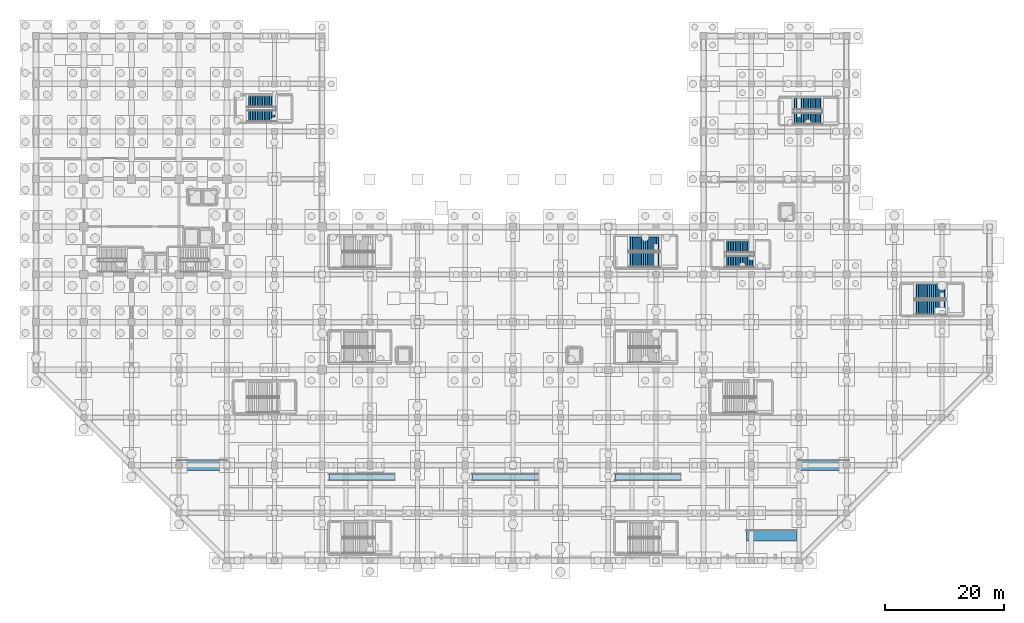
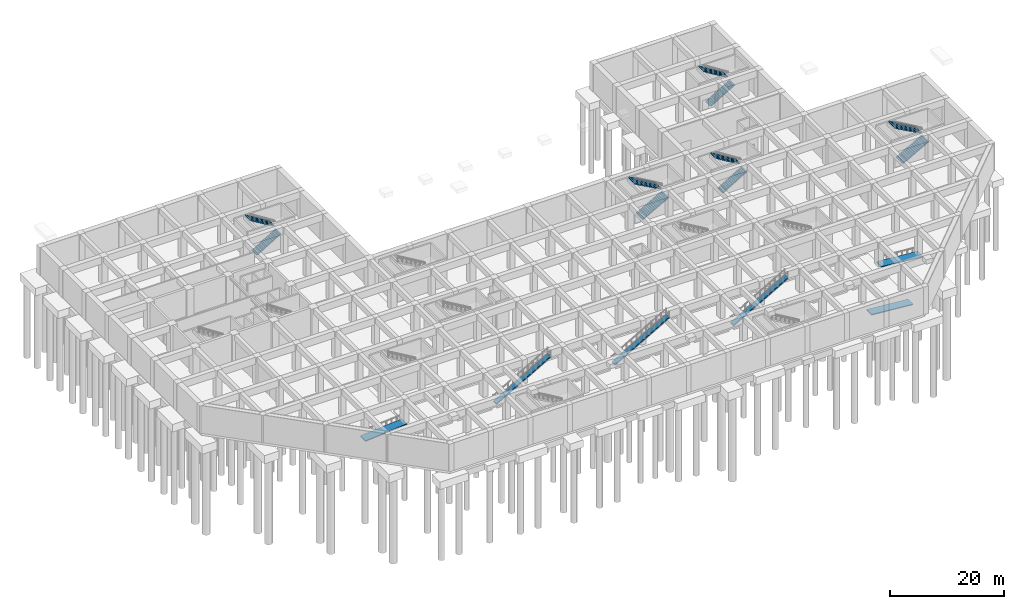
# One storey, part 21 of 26: 10 stair flights, 6 ramp flights, 11 elements without a shape of their own.
"""IFC4 building model written with IfcOpenShell, lengths in metres."""

from ifc_helpers import new_model, si_unit, direction, frame, origin, place, context, subcontext, project, spatial, polyline, outline, extrude, material, type_object, element, aggregate, save


model = new_model("IFC4")

# Units and contexts
model_context = context("Model", 3, precision=1e-05, world=origin(), true_north=direction((0.0, 1.0)))
body_context = subcontext(model_context, "Body", "Model", "MODEL_VIEW")
ifc_project = project(units=[si_unit("LENGTHUNIT", "METRE"), si_unit("AREAUNIT", "SQUARE_METRE"), si_unit("VOLUMEUNIT", "CUBIC_METRE"), si_unit("PLANEANGLEUNIT", "RADIAN"), si_unit("MASSUNIT", "GRAM", prefix="KILO")], contexts=[model_context])

# Site, building, storey
site_placement = place(None, origin())
site = spatial("IfcSite", under=ifc_project, at=site_placement, CompositionType="ELEMENT")
building_placement = place(site_placement, origin())
building = spatial("IfcBuilding", under=site, at=building_placement, Name="Varnela Railside Interchange", CompositionType="ELEMENT")
storey_placement = place(building_placement, frame((0.0, 0.0, -12.60009765625)))
storey = spatial("IfcBuildingStorey", under=building, at=storey_placement, Name="B2", CompositionType="ELEMENT", Elevation=-12.60009765625)

# Stair, stair flights
ifc_material = material(Name="Concrete C40", Category="concrete")
stair_type_1 = type_object("IfcStairType", Name="Study Pavilion Stair ST-180", PredefinedType="TWO_STRAIGHT_RUN_STAIR", material=ifc_material)
stair_1_placement = place(storey_placement, origin())
stair_1 = element("IfcStair", 1, at=stair_1_placement, inside=storey, type_object=stair_type_1, Name="Stair ST-E1 (B2) (SF-013)", PredefinedType="TWO_STRAIGHT_RUN_STAIR")
stair_flight_type_1 = type_object("IfcStairFlightType", Name="Concrete Stair Flight SF-180", PredefinedType="STRAIGHT", material=ifc_material)
stair_flight_1_placement = place(storey_placement, frame((119.60009765625, 56.199951171875, 0.0), z_axis=(0.0, 0.0, 1.0), x_axis=(1.0, 0.0, 0.0)))
stair_flight_1 = element("IfcStairFlight", 2, at=stair_flight_1_placement, type_object=stair_flight_type_1, Name="ST-E1 flight 1 (SF-014)", NumberOfRisers=18, NumberOfTreads=17, PredefinedType="STRAIGHT", RiserHeight=0.175, TreadLength=0.29, context=body_context, shape_type="SweptSolid", body=[
    extrude(outline(polyline([(0.0, 0.0), (0.0, 0.175048828125), (0.2900390625, 0.175048828125), (0.2900390625, 0.35009765625), (0.580078125, 0.35009765625), (0.580078125, 0.52490234375), (0.8701171875, 0.52490234375), (0.8701171875, 0.699951171875), (1.159912109375, 0.699951171875), (1.159912109375, 0.875), (1.449951171875, 0.875), (1.449951171875, 1.050048828125), (1.739990234375, 1.050048828125), (1.739990234375, 1.22509765625), (2.030029296875, 1.22509765625), (2.030029296875, 1.39990234375), (2.320068359375, 1.39990234375), (2.320068359375, 1.574951171875), (2.610107421875, 1.574951171875), (2.610107421875, 1.75), (2.89990234375, 1.75), (2.89990234375, 1.925048828125), (3.18994140625, 1.925048828125), (3.18994140625, 2.10009765625), (3.47998046875, 2.10009765625), (3.47998046875, 2.27490234375), (3.77001953125, 2.27490234375), (3.77001953125, 2.449951171875), (4.06005859375, 2.449951171875), (4.06005859375, 2.625), (4.35009765625, 2.625), (4.35009765625, 2.800048828125), (4.639892578125, 2.800048828125), (4.639892578125, 2.97509765625), (4.929931640625, 2.97509765625), (4.929931640625, 3.14990234375), (4.929931640625, 2.788330078125), (0.3095703125, 0.0), (0.0, 0.0)])), frame((0.0, 0.89990234375, 0.0), z_axis=(0.0, -1.0, 0.0), x_axis=(1.0, 0.0, 0.0)), (0.0, 0.0, 1.0), 1.800048828125),
])
stair_flight_2_placement = place(storey_placement, frame((124.530029296875, 58.60009765625, 3.150146484375), z_axis=(0.0, 0.0, 1.0), x_axis=(-1.0, 0.0, 0.0)))
stair_flight_2 = element("IfcStairFlight", 3, at=stair_flight_2_placement, type_object=stair_flight_type_1, Name="ST-E1 flight 2 (SF-015)", NumberOfRisers=18, NumberOfTreads=17, PredefinedType="STRAIGHT", RiserHeight=0.175, TreadLength=0.29, context=body_context, shape_type="SweptSolid", body=[
    extrude(outline(polyline([(0.0, 0.0), (0.0, 0.175048828125), (0.2900390625, 0.175048828125), (0.2900390625, 0.35009765625), (0.580078125, 0.35009765625), (0.580078125, 0.52490234375), (0.8701171875, 0.52490234375), (0.8701171875, 0.699951171875), (1.159912109375, 0.699951171875), (1.159912109375, 0.875), (1.449951171875, 0.875), (1.449951171875, 1.050048828125), (1.739990234375, 1.050048828125), (1.739990234375, 1.22509765625), (2.030029296875, 1.22509765625), (2.030029296875, 1.39990234375), (2.320068359375, 1.39990234375), (2.320068359375, 1.574951171875), (2.610107421875, 1.574951171875), (2.610107421875, 1.75), (2.89990234375, 1.75), (2.89990234375, 1.925048828125), (3.18994140625, 1.925048828125), (3.18994140625, 2.10009765625), (3.47998046875, 2.10009765625), (3.47998046875, 2.27490234375), (3.77001953125, 2.27490234375), (3.77001953125, 2.449951171875), (4.06005859375, 2.449951171875), (4.06005859375, 2.625), (4.35009765625, 2.625), (4.35009765625, 2.800048828125), (4.639892578125, 2.800048828125), (4.639892578125, 2.97509765625), (4.929931640625, 2.97509765625), (4.929931640625, 3.14990234375), (4.929931640625, 2.788330078125), (0.3095703125, 0.0), (0.0, 0.0)])), frame((0.0, 0.89990234375, 0.0), z_axis=(0.0, -1.0, 0.0), x_axis=(1.0, 0.0, 0.0)), (0.0, 0.0, 1.0), 1.800048828125),
])
aggregate(stair_1, [stair_flight_1, stair_flight_2])

stair_2_placement = place(storey_placement, origin())
stair_2 = element("IfcStair", 4, at=stair_2_placement, inside=storey, type_object=stair_type_1, Name="Stair ST-E2 (B2) (SF-016)", PredefinedType="TWO_STRAIGHT_RUN_STAIR")
stair_flight_3_placement = place(storey_placement, frame((131.0, 80.199951171875, 0.0), z_axis=(0.0, 0.0, 1.0), x_axis=(1.0, 0.0, 0.0)))
stair_flight_3 = element("IfcStairFlight", 5, at=stair_flight_3_placement, type_object=stair_flight_type_1, Name="ST-E2 flight 1 (SF-017)", NumberOfRisers=18, NumberOfTreads=17, PredefinedType="STRAIGHT", RiserHeight=0.175, TreadLength=0.29, context=body_context, shape_type="SweptSolid", body=[
    extrude(outline(polyline([(0.0, 0.0), (0.0, 0.175048828125), (0.2900390625, 0.175048828125), (0.2900390625, 0.35009765625), (0.580078125, 0.35009765625), (0.580078125, 0.52490234375), (0.8701171875, 0.52490234375), (0.8701171875, 0.699951171875), (1.159912109375, 0.699951171875), (1.159912109375, 0.875), (1.449951171875, 0.875), (1.449951171875, 1.050048828125), (1.739990234375, 1.050048828125), (1.739990234375, 1.22509765625), (2.030029296875, 1.22509765625), (2.030029296875, 1.39990234375), (2.320068359375, 1.39990234375), (2.320068359375, 1.574951171875), (2.610107421875, 1.574951171875), (2.610107421875, 1.75), (2.89990234375, 1.75), (2.89990234375, 1.925048828125), (3.18994140625, 1.925048828125), (3.18994140625, 2.10009765625), (3.47998046875, 2.10009765625), (3.47998046875, 2.27490234375), (3.77001953125, 2.27490234375), (3.77001953125, 2.449951171875), (4.06005859375, 2.449951171875), (4.06005859375, 2.625), (4.35009765625, 2.625), (4.35009765625, 2.800048828125), (4.639892578125, 2.800048828125), (4.639892578125, 2.97509765625), (4.929931640625, 2.97509765625), (4.929931640625, 3.14990234375), (4.929931640625, 2.788330078125), (0.3095703125, 0.0), (0.0, 0.0)])), frame((0.0, 0.89990234375, 0.0), z_axis=(0.0, -1.0, 0.0), x_axis=(1.0, 0.0, 0.0)), (0.0, 0.0, 1.0), 1.800048828125),
])
stair_flight_4_placement = place(storey_placement, frame((135.929931640625, 82.60009765625, 3.150146484375), z_axis=(0.0, 0.0, 1.0), x_axis=(-1.0, 0.0, 0.0)))
stair_flight_4 = element("IfcStairFlight", 6, at=stair_flight_4_placement, type_object=stair_flight_type_1, Name="ST-E2 flight 2 (SF-018)", NumberOfRisers=18, NumberOfTreads=17, PredefinedType="STRAIGHT", RiserHeight=0.175, TreadLength=0.29, context=body_context, shape_type="SweptSolid", body=[
    extrude(outline(polyline([(0.0, 0.0), (0.0, 0.175048828125), (0.2900390625, 0.175048828125), (0.2900390625, 0.35009765625), (0.580078125, 0.35009765625), (0.580078125, 0.52490234375), (0.8701171875, 0.52490234375), (0.8701171875, 0.699951171875), (1.159912109375, 0.699951171875), (1.159912109375, 0.875), (1.449951171875, 0.875), (1.449951171875, 1.050048828125), (1.739990234375, 1.050048828125), (1.739990234375, 1.22509765625), (2.030029296875, 1.22509765625), (2.030029296875, 1.39990234375), (2.320068359375, 1.39990234375), (2.320068359375, 1.574951171875), (2.610107421875, 1.574951171875), (2.610107421875, 1.75), (2.89990234375, 1.75), (2.89990234375, 1.925048828125), (3.18994140625, 1.925048828125), (3.18994140625, 2.10009765625), (3.47998046875, 2.10009765625), (3.47998046875, 2.27490234375), (3.77001953125, 2.27490234375), (3.77001953125, 2.449951171875), (4.06005859375, 2.449951171875), (4.06005859375, 2.625), (4.35009765625, 2.625), (4.35009765625, 2.800048828125), (4.639892578125, 2.800048828125), (4.639892578125, 2.97509765625), (4.929931640625, 2.97509765625), (4.929931640625, 3.14990234375), (4.929931640625, 2.788330078125), (0.3095703125, 0.0), (0.0, 0.0)])), frame((0.0, 0.89990234375, 0.0), z_axis=(0.0, -1.0, 0.0), x_axis=(1.0, 0.0, 0.0)), (0.0, 0.0, 1.0), 1.800048828125),
])
aggregate(stair_2, [stair_flight_3, stair_flight_4])

stair_3_placement = place(storey_placement, origin())
stair_3 = element("IfcStair", 7, at=stair_3_placement, inside=storey, type_object=stair_type_1, Name="Stair ST-W1 (B2) (SF-040)", PredefinedType="TWO_STRAIGHT_RUN_STAIR")
stair_flight_5_placement = place(storey_placement, frame((39.39990234375, 80.60009765625, 0.0), z_axis=(0.0, 0.0, 1.0), x_axis=(1.0, 0.0, 0.0)))
stair_flight_5 = element("IfcStairFlight", 8, at=stair_flight_5_placement, type_object=stair_flight_type_1, Name="ST-W1 flight 1 (SF-041)", NumberOfRisers=18, NumberOfTreads=17, PredefinedType="STRAIGHT", RiserHeight=0.175, TreadLength=0.29, context=body_context, shape_type="SweptSolid", body=[
    extrude(outline(polyline([(0.0, 0.0), (0.0, 0.175048828125), (0.2900390625, 0.175048828125), (0.2900390625, 0.35009765625), (0.580078125, 0.35009765625), (0.580078125, 0.52490234375), (0.8701171875, 0.52490234375), (0.8701171875, 0.699951171875), (1.159912109375, 0.699951171875), (1.159912109375, 0.875), (1.449951171875, 0.875), (1.449951171875, 1.050048828125), (1.739990234375, 1.050048828125), (1.739990234375, 1.22509765625), (2.030029296875, 1.22509765625), (2.030029296875, 1.39990234375), (2.320068359375, 1.39990234375), (2.320068359375, 1.574951171875), (2.610107421875, 1.574951171875), (2.610107421875, 1.75), (2.89990234375, 1.75), (2.89990234375, 1.925048828125), (3.18994140625, 1.925048828125), (3.18994140625, 2.10009765625), (3.47998046875, 2.10009765625), (3.47998046875, 2.27490234375), (3.77001953125, 2.27490234375), (3.77001953125, 2.449951171875), (4.06005859375, 2.449951171875), (4.06005859375, 2.625), (4.35009765625, 2.625), (4.35009765625, 2.800048828125), (4.639892578125, 2.800048828125), (4.639892578125, 2.97509765625), (4.929931640625, 2.97509765625), (4.929931640625, 3.14990234375), (4.929931640625, 2.788330078125), (0.3095703125, 0.0), (0.0, 0.0)])), frame((0.0, 0.89990234375, 0.0), z_axis=(0.0, -1.0, 0.0), x_axis=(1.0, 0.0, 0.0)), (0.0, 0.0, 1.0), 1.800048828125),
])
stair_flight_6_placement = place(storey_placement, frame((44.330078125, 83.0, 3.150146484375), z_axis=(0.0, 0.0, 1.0), x_axis=(-1.0, 0.0, 0.0)))
stair_flight_6 = element("IfcStairFlight", 9, at=stair_flight_6_placement, type_object=stair_flight_type_1, Name="ST-W1 flight 2 (SF-042)", NumberOfRisers=18, NumberOfTreads=17, PredefinedType="STRAIGHT", RiserHeight=0.175, TreadLength=0.29, context=body_context, shape_type="SweptSolid", body=[
    extrude(outline(polyline([(0.0, 0.0), (0.0, 0.175048828125), (0.2900390625, 0.175048828125), (0.2900390625, 0.35009765625), (0.580078125, 0.35009765625), (0.580078125, 0.52490234375), (0.8701171875, 0.52490234375), (0.8701171875, 0.699951171875), (1.159912109375, 0.699951171875), (1.159912109375, 0.875), (1.449951171875, 0.875), (1.449951171875, 1.050048828125), (1.739990234375, 1.050048828125), (1.739990234375, 1.22509765625), (2.030029296875, 1.22509765625), (2.030029296875, 1.39990234375), (2.320068359375, 1.39990234375), (2.320068359375, 1.574951171875), (2.610107421875, 1.574951171875), (2.610107421875, 1.75), (2.89990234375, 1.75), (2.89990234375, 1.925048828125), (3.18994140625, 1.925048828125), (3.18994140625, 2.10009765625), (3.47998046875, 2.10009765625), (3.47998046875, 2.27490234375), (3.77001953125, 2.27490234375), (3.77001953125, 2.449951171875), (4.06005859375, 2.449951171875), (4.06005859375, 2.625), (4.35009765625, 2.625), (4.35009765625, 2.800048828125), (4.639892578125, 2.800048828125), (4.639892578125, 2.97509765625), (4.929931640625, 2.97509765625), (4.929931640625, 3.14990234375), (4.929931640625, 2.788330078125), (0.3095703125, 0.0), (0.0, 0.0)])), frame((0.0, 0.89990234375, 0.0), z_axis=(0.0, -1.0, 0.0), x_axis=(1.0, 0.0, 0.0)), (0.0, 0.0, 1.0), 1.800048828125),
])
aggregate(stair_3, [stair_flight_5, stair_flight_6])

stair_type_2 = type_object("IfcStairType", Name="Concourse Public Stair ST-235", PredefinedType="TWO_STRAIGHT_RUN_STAIR", material=ifc_material)
stair_4_placement = place(storey_placement, origin())
stair_4 = element("IfcStair", 10, at=stair_4_placement, inside=storey, type_object=stair_type_2, Name="Stair ST-E3 (B2) (SF-019)", PredefinedType="TWO_STRAIGHT_RUN_STAIR")
stair_flight_type_2 = type_object("IfcStairFlightType", Name="Concrete Stair Flight SF-235", PredefinedType="STRAIGHT", material=ifc_material)
stair_flight_7_placement = place(storey_placement, frame((151.39990234375, 48.47509765625, 0.0), z_axis=(0.0, 0.0, 1.0), x_axis=(1.0, 0.0, 0.0)))
stair_flight_7 = element("IfcStairFlight", 11, at=stair_flight_7_placement, type_object=stair_flight_type_2, Name="ST-E3 flight 1 (SF-020)", NumberOfRisers=18, NumberOfTreads=17, PredefinedType="STRAIGHT", RiserHeight=0.175, TreadLength=0.315, context=body_context, shape_type="SweptSolid", body=[
    extrude(outline(polyline([(0.0, 0.0), (0.0, 0.175048828125), (0.31494140625, 0.175048828125), (0.31494140625, 0.35009765625), (0.6298828125, 0.35009765625), (0.6298828125, 0.52490234375), (0.945068359375, 0.52490234375), (0.945068359375, 0.699951171875), (1.260009765625, 0.699951171875), (1.260009765625, 0.875), (1.574951171875, 0.875), (1.574951171875, 1.050048828125), (1.889892578125, 1.050048828125), (1.889892578125, 1.22509765625), (2.205078125, 1.22509765625), (2.205078125, 1.39990234375), (2.52001953125, 1.39990234375), (2.52001953125, 1.574951171875), (2.8349609375, 1.574951171875), (2.8349609375, 1.75), (3.14990234375, 1.75), (3.14990234375, 1.925048828125), (3.465087890625, 1.925048828125), (3.465087890625, 2.10009765625), (3.780029296875, 2.10009765625), (3.780029296875, 2.27490234375), (4.094970703125, 2.27490234375), (4.094970703125, 2.449951171875), (4.409912109375, 2.449951171875), (4.409912109375, 2.625), (4.72509765625, 2.625), (4.72509765625, 2.800048828125), (5.0400390625, 2.800048828125), (5.0400390625, 2.97509765625), (5.35498046875, 2.97509765625), (5.35498046875, 3.14990234375), (5.35498046875, 2.7919921875), (0.329345703125, 0.0), (0.0, 0.0)])), frame((0.0, 1.175048828125, 0.0), z_axis=(0.0, -1.0, 0.0), x_axis=(1.0, 0.0, 0.0)), (0.0, 0.0, 1.0), 2.35009765625),
])
stair_flight_8_placement = place(storey_placement, frame((156.7548828125, 51.125, 3.150146484375), z_axis=(0.0, 0.0, 1.0), x_axis=(-1.0, 0.0, 0.0)))
stair_flight_8 = element("IfcStairFlight", 12, at=stair_flight_8_placement, type_object=stair_flight_type_2, Name="ST-E3 flight 2 (SF-021)", NumberOfRisers=18, NumberOfTreads=17, PredefinedType="STRAIGHT", RiserHeight=0.175, TreadLength=0.315, context=body_context, shape_type="SweptSolid", body=[
    extrude(outline(polyline([(0.0, 0.0), (0.0, 0.175048828125), (0.31494140625, 0.175048828125), (0.31494140625, 0.35009765625), (0.6298828125, 0.35009765625), (0.6298828125, 0.52490234375), (0.945068359375, 0.52490234375), (0.945068359375, 0.699951171875), (1.260009765625, 0.699951171875), (1.260009765625, 0.875), (1.574951171875, 0.875), (1.574951171875, 1.050048828125), (1.889892578125, 1.050048828125), (1.889892578125, 1.22509765625), (2.205078125, 1.22509765625), (2.205078125, 1.39990234375), (2.52001953125, 1.39990234375), (2.52001953125, 1.574951171875), (2.8349609375, 1.574951171875), (2.8349609375, 1.75), (3.14990234375, 1.75), (3.14990234375, 1.925048828125), (3.465087890625, 1.925048828125), (3.465087890625, 2.10009765625), (3.780029296875, 2.10009765625), (3.780029296875, 2.27490234375), (4.094970703125, 2.27490234375), (4.094970703125, 2.449951171875), (4.409912109375, 2.449951171875), (4.409912109375, 2.625), (4.72509765625, 2.625), (4.72509765625, 2.800048828125), (5.0400390625, 2.800048828125), (5.0400390625, 2.97509765625), (5.35498046875, 2.97509765625), (5.35498046875, 3.14990234375), (5.35498046875, 2.7919921875), (0.329345703125, 0.0), (0.0, 0.0)])), frame((0.0, 1.175048828125, 0.0), z_axis=(0.0, -1.0, 0.0), x_axis=(1.0, 0.0, 0.0)), (0.0, 0.0, 1.0), 2.35009765625),
])
aggregate(stair_4, [stair_flight_7, stair_flight_8])

stair_5_placement = place(storey_placement, origin())
stair_5 = element("IfcStair", 13, at=stair_5_placement, inside=storey, type_object=stair_type_2, Name="Stair ST-C4 (B2) (SF-010)", PredefinedType="TWO_STRAIGHT_RUN_STAIR")
stair_flight_9_placement = place(storey_placement, frame((103.39990234375, 56.47509765625, 0.0), z_axis=(0.0, 0.0, 1.0), x_axis=(1.0, 0.0, 0.0)))
stair_flight_9 = element("IfcStairFlight", 14, at=stair_flight_9_placement, type_object=stair_flight_type_2, Name="ST-C4 flight 1 (SF-011)", NumberOfRisers=18, NumberOfTreads=17, PredefinedType="STRAIGHT", RiserHeight=0.175, TreadLength=0.315, context=body_context, shape_type="SweptSolid", body=[
    extrude(outline(polyline([(0.0, 0.0), (0.0, 0.175048828125), (0.31494140625, 0.175048828125), (0.31494140625, 0.35009765625), (0.6298828125, 0.35009765625), (0.6298828125, 0.52490234375), (0.945068359375, 0.52490234375), (0.945068359375, 0.699951171875), (1.260009765625, 0.699951171875), (1.260009765625, 0.875), (1.574951171875, 0.875), (1.574951171875, 1.050048828125), (1.889892578125, 1.050048828125), (1.889892578125, 1.22509765625), (2.205078125, 1.22509765625), (2.205078125, 1.39990234375), (2.52001953125, 1.39990234375), (2.52001953125, 1.574951171875), (2.8349609375, 1.574951171875), (2.8349609375, 1.75), (3.14990234375, 1.75), (3.14990234375, 1.925048828125), (3.465087890625, 1.925048828125), (3.465087890625, 2.10009765625), (3.780029296875, 2.10009765625), (3.780029296875, 2.27490234375), (4.094970703125, 2.27490234375), (4.094970703125, 2.449951171875), (4.409912109375, 2.449951171875), (4.409912109375, 2.625), (4.72509765625, 2.625), (4.72509765625, 2.800048828125), (5.0400390625, 2.800048828125), (5.0400390625, 2.97509765625), (5.35498046875, 2.97509765625), (5.35498046875, 3.14990234375), (5.35498046875, 2.7919921875), (0.329345703125, 0.0), (0.0, 0.0)])), frame((0.0, 1.175048828125, 0.0), z_axis=(0.0, -1.0, 0.0), x_axis=(1.0, 0.0, 0.0)), (0.0, 0.0, 1.0), 2.35009765625),
])
stair_flight_10_placement = place(storey_placement, frame((108.7548828125, 59.125, 3.150146484375), z_axis=(0.0, 0.0, 1.0), x_axis=(-1.0, 0.0, 0.0)))
stair_flight_10 = element("IfcStairFlight", 15, at=stair_flight_10_placement, type_object=stair_flight_type_2, Name="ST-C4 flight 2 (SF-012)", NumberOfRisers=18, NumberOfTreads=17, PredefinedType="STRAIGHT", RiserHeight=0.175, TreadLength=0.315, context=body_context, shape_type="SweptSolid", body=[
    extrude(outline(polyline([(0.0, 0.0), (0.0, 0.175048828125), (0.31494140625, 0.175048828125), (0.31494140625, 0.35009765625), (0.6298828125, 0.35009765625), (0.6298828125, 0.52490234375), (0.945068359375, 0.52490234375), (0.945068359375, 0.699951171875), (1.260009765625, 0.699951171875), (1.260009765625, 0.875), (1.574951171875, 0.875), (1.574951171875, 1.050048828125), (1.889892578125, 1.050048828125), (1.889892578125, 1.22509765625), (2.205078125, 1.22509765625), (2.205078125, 1.39990234375), (2.52001953125, 1.39990234375), (2.52001953125, 1.574951171875), (2.8349609375, 1.574951171875), (2.8349609375, 1.75), (3.14990234375, 1.75), (3.14990234375, 1.925048828125), (3.465087890625, 1.925048828125), (3.465087890625, 2.10009765625), (3.780029296875, 2.10009765625), (3.780029296875, 2.27490234375), (4.094970703125, 2.27490234375), (4.094970703125, 2.449951171875), (4.409912109375, 2.449951171875), (4.409912109375, 2.625), (4.72509765625, 2.625), (4.72509765625, 2.800048828125), (5.0400390625, 2.800048828125), (5.0400390625, 2.97509765625), (5.35498046875, 2.97509765625), (5.35498046875, 3.14990234375), (5.35498046875, 2.7919921875), (0.329345703125, 0.0), (0.0, 0.0)])), frame((0.0, 1.175048828125, 0.0), z_axis=(0.0, -1.0, 0.0), x_axis=(1.0, 0.0, 0.0)), (0.0, 0.0, 1.0), 2.35009765625),
])
aggregate(stair_5, [stair_flight_9, stair_flight_10])

# Ramp, ramp flight
ramp_type_1 = type_object("IfcRampType", Name="Escalator Structural Truss Deck PR-RMP", PredefinedType="STRAIGHT_RUN_RAMP", material=ifc_material)
ramp_1_placement = place(storey_placement, origin())
ramp_1 = element("IfcRamp", 16, at=ramp_1_placement, inside=storey, type_object=ramp_type_1, Name="Escalator Structural Truss Deck ES1", PredefinedType="STRAIGHT_RUN_RAMP")
ramp_flight_type_1 = type_object("IfcRampFlightType", Name="Ramp Flight PR-RMP W1080", PredefinedType="STRAIGHT", material=ifc_material)
ramp_flight_1_placement = place(storey_placement, frame((53.14990234375, 20.0, 0.0), z_axis=(0.0, 0.0, 1.0), x_axis=(1.0, 0.0, 0.0)))
ramp_flight_1 = element("IfcRampFlight", 17, at=ramp_flight_1_placement, type_object=ramp_flight_type_1, Name="Escalator Structural Truss Deck ES1 (F1)", PredefinedType="STRAIGHT", context=body_context, shape_type="SweptSolid", body=[
    extrude(outline(polyline([(0.0, -0.280029296875), (10.97021484375, 6.02001953125), (10.97021484375, 6.300048828125), (0.0, 0.0), (0.0, -0.280029296875)])), frame((0.0, 0.5400390625, 0.0), z_axis=(0.0, -1.0, 0.0), x_axis=(1.0, 0.0, 0.0)), (0.0, 0.0, 1.0), 1.080078125),
])
aggregate(ramp_1, [ramp_flight_1])

ramp_2_placement = place(storey_placement, origin())
ramp_2 = element("IfcRamp", 18, at=ramp_2_placement, inside=storey, type_object=ramp_type_1, Name="Escalator Structural Truss Deck ES2", PredefinedType="STRAIGHT_RUN_RAMP")
ramp_flight_2_placement = place(storey_placement, frame((77.14990234375, 20.0, 0.0), z_axis=(0.0, 0.0, 1.0), x_axis=(1.0, 0.0, 0.0)))
ramp_flight_2 = element("IfcRampFlight", 19, at=ramp_flight_2_placement, type_object=ramp_flight_type_1, Name="Escalator Structural Truss Deck ES2 (F1)", PredefinedType="STRAIGHT", context=body_context, shape_type="SweptSolid", body=[
    extrude(outline(polyline([(0.0, -0.280029296875), (10.97021484375, 6.02001953125), (10.97021484375, 6.300048828125), (0.0, 0.0), (0.0, -0.280029296875)])), frame((0.0, 0.5400390625, 0.0), z_axis=(0.0, -1.0, 0.0), x_axis=(1.0, 0.0, 0.0)), (0.0, 0.0, 1.0), 1.080078125),
])
aggregate(ramp_2, [ramp_flight_2])

ramp_3_placement = place(storey_placement, origin())
ramp_3 = element("IfcRamp", 20, at=ramp_3_placement, inside=storey, type_object=ramp_type_1, Name="Escalator Structural Truss Deck ES3", PredefinedType="STRAIGHT_RUN_RAMP")
ramp_flight_3_placement = place(storey_placement, frame((101.14990234375, 20.0, 0.0), z_axis=(0.0, 0.0, 1.0), x_axis=(1.0, 0.0, 0.0)))
ramp_flight_3 = element("IfcRampFlight", 21, at=ramp_flight_3_placement, type_object=ramp_flight_type_1, Name="Escalator Structural Truss Deck ES3 (F1)", PredefinedType="STRAIGHT", context=body_context, shape_type="SweptSolid", body=[
    extrude(outline(polyline([(0.0, -0.280029296875), (10.97021484375, 6.02001953125), (10.97021484375, 6.300048828125), (0.0, 0.0), (0.0, -0.280029296875)])), frame((0.0, 0.5400390625, 0.0), z_axis=(0.0, -1.0, 0.0), x_axis=(1.0, 0.0, 0.0)), (0.0, 0.0, 1.0), 1.080078125),
])
aggregate(ramp_3, [ramp_flight_3])

ramp_type_2 = type_object("IfcRampType", Name="Accessible Pedestrian Ramp PR-RMP", PredefinedType="STRAIGHT_RUN_RAMP", material=ifc_material)
ramp_4_placement = place(storey_placement, origin())
ramp_4 = element("IfcRamp", 22, at=ramp_4_placement, inside=storey, type_object=ramp_type_2, Name="Metro Platform Accessible Ramp pltS-W", PredefinedType="STRAIGHT_RUN_RAMP")
ramp_flight_type_2 = type_object("IfcRampFlightType", Name="Ramp Flight PR-RMP W1800", PredefinedType="STRAIGHT", material=ifc_material)
ramp_flight_4_placement = place(storey_placement, frame((131.60009765625, 10.199951171875, 0.0), z_axis=(0.0, 0.0, 1.0), x_axis=(-1.0, 0.0, 0.0)))
ramp_flight_4 = element("IfcRampFlight", 23, at=ramp_flight_4_placement, type_object=ramp_flight_type_2, Name="Metro Platform Accessible Ramp pltS-W (F1)", PredefinedType="STRAIGHT", context=body_context, shape_type="SweptSolid", body=[
    extrude(outline(polyline([(0.0, -0.199951171875), (8.400146484375, 0.500244140625), (8.400146484375, 0.7001953125), (0.0, 0.0), (0.0, -0.199951171875)])), frame((0.0, 0.89990234375, 0.0), z_axis=(0.0, -1.0, 0.0), x_axis=(1.0, 0.0, 0.0)), (0.0, 0.0, 1.0), 1.800048828125),
])
aggregate(ramp_4, [ramp_flight_4])

ramp_5_placement = place(storey_placement, origin())
ramp_5 = element("IfcRamp", 24, at=ramp_5_placement, inside=storey, type_object=ramp_type_2, Name="Metro Platform Accessible Ramp pltI-W", PredefinedType="STRAIGHT_RUN_RAMP")
ramp_flight_5_placement = place(storey_placement, frame((27.60009765625, 22.0, 0.0), z_axis=(0.0, 0.0, 1.0), x_axis=(1.0, 0.0, 0.0)))
ramp_flight_5 = element("IfcRampFlight", 25, at=ramp_flight_5_placement, type_object=ramp_flight_type_2, Name="Metro Platform Accessible Ramp pltI-W (F1)", PredefinedType="STRAIGHT", context=body_context, shape_type="SweptSolid", body=[
    extrude(outline(polyline([(0.0, -0.199951171875), (8.39990234375, 0.500244140625), (8.39990234375, 0.7001953125), (0.0, 0.0), (0.0, -0.199951171875)])), frame((0.0, 0.89990234375, 0.0), z_axis=(0.0, -1.0, 0.0), x_axis=(1.0, 0.0, 0.0)), (0.0, 0.0, 1.0), 1.800048828125),
])
aggregate(ramp_5, [ramp_flight_5])

ramp_6_placement = place(storey_placement, origin())
ramp_6 = element("IfcRamp", 26, at=ramp_6_placement, inside=storey, type_object=ramp_type_2, Name="Metro Platform Accessible Ramp pltI-E", PredefinedType="STRAIGHT_RUN_RAMP")
ramp_flight_6_placement = place(storey_placement, frame((140.39990234375, 22.0, 0.0), z_axis=(0.0, 0.0, 1.0), x_axis=(-1.0, 0.0, 0.0)))
ramp_flight_6 = element("IfcRampFlight", 27, at=ramp_flight_6_placement, type_object=ramp_flight_type_2, Name="Metro Platform Accessible Ramp pltI-E (F1)", PredefinedType="STRAIGHT", context=body_context, shape_type="SweptSolid", body=[
    extrude(outline(polyline([(0.0, -0.199951171875), (8.39990234375, 0.500244140625), (8.39990234375, 0.7001953125), (0.0, 0.0), (0.0, -0.199951171875)])), frame((0.0, 0.89990234375, 0.0), z_axis=(0.0, -1.0, 0.0), x_axis=(1.0, 0.0, 0.0)), (0.0, 0.0, 1.0), 1.800048828125),
])
aggregate(ramp_6, [ramp_flight_6])

save(model, "model.ifc")
